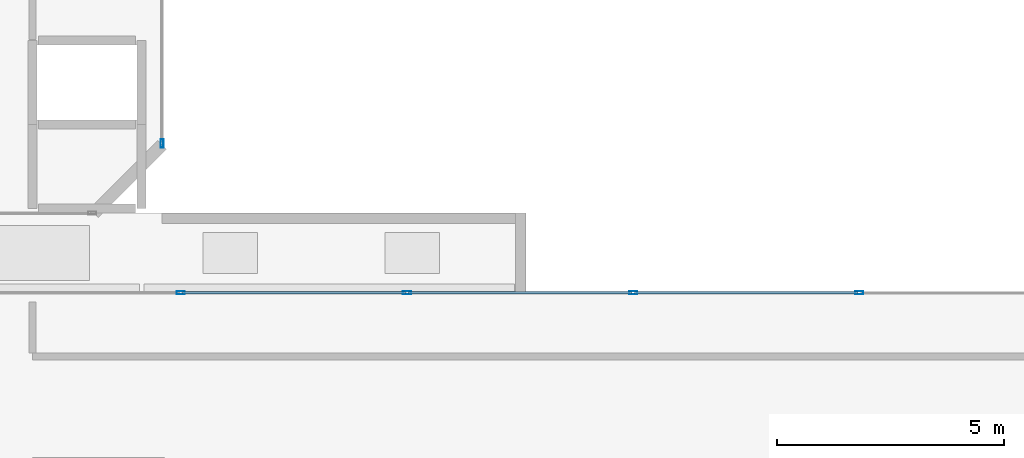
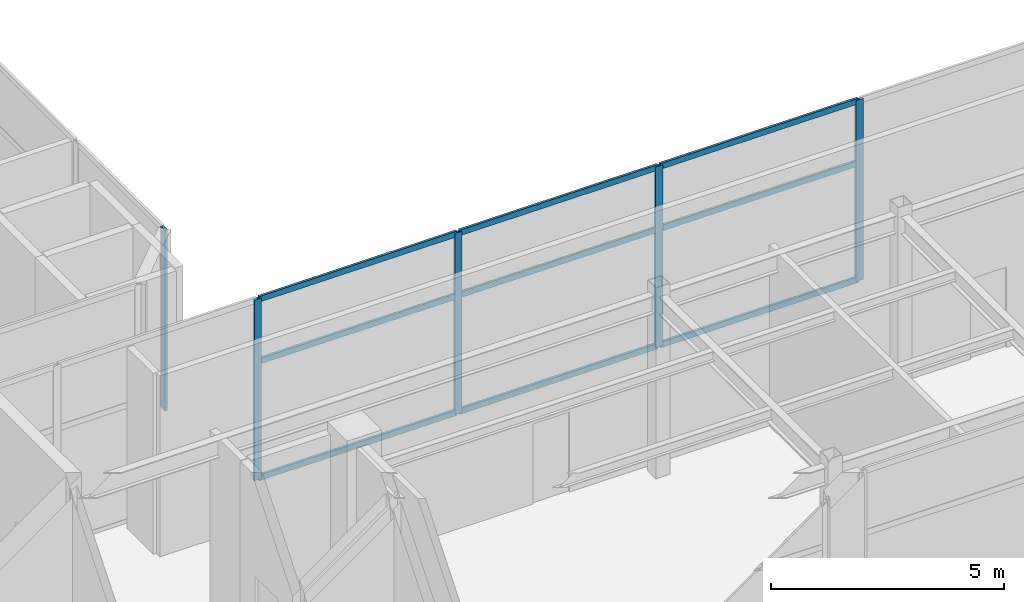
# One storey, part 9 of 18: 14 members, 2 elements without a shape of their own.
"""IFC4 building model written with IfcOpenShell, lengths in metres."""

from ifc_helpers import new_model, si_unit, direction, frame, origin, origin_2d, place, context, subcontext, project, spatial, hollow_rectangle, extrude, material, layer, layer_set, material_profile, profile_set, type_object, element, aggregate, save


model = new_model("IFC4")

# Units and contexts
model_context = context("Model", 3, precision=1e-05, world=origin(), true_north=direction((0.0, 1.0)))
body_context = subcontext(model_context, "Body", "Model", "MODEL_VIEW")
ifc_project = project(units=[si_unit("LENGTHUNIT", "METRE"), si_unit("AREAUNIT", "SQUARE_METRE"), si_unit("VOLUMEUNIT", "CUBIC_METRE"), si_unit("PLANEANGLEUNIT", "RADIAN"), si_unit("MASSUNIT", "GRAM", prefix="KILO")], contexts=[model_context])

# Site, building, storey
site_placement = place(None, origin())
site = spatial("IfcSite", under=ifc_project, at=site_placement, CompositionType="ELEMENT")
building_placement = place(site_placement, origin())
building = spatial("IfcBuilding", under=site, at=building_placement, Name="Mawjaban Terraces University", CompositionType="ELEMENT")
storey_placement = place(building_placement, frame((0.0, 0.0, 316.699951171875)))
storey = spatial("IfcBuildingStorey", under=building, at=storey_placement, Name="L77", CompositionType="ELEMENT", Elevation=316.699951171875)

# Curtain wall, members
ifc_material_1 = material(Name="Anodised aluminium 6063-T6 and solar-control low-E glass", Category="aluminium")
ifc_layer = layer(ifc_material_1, 0.199951171875)
ifc_layer_set = layer_set([ifc_layer], Name="Anodised aluminium 6063-T6 and solar-control low-E glass")
curtain_wall_type = type_object("IfcCurtainWallType", Name="CWSystem_06_ObservationCrown", PredefinedType="NOTDEFINED", material=ifc_layer_set)
curtain_wall_1_placement = place(storey_placement, origin())
curtain_wall_1 = element("IfcCurtainWall", 1, at=curtain_wall_1_placement, inside=storey, type_object=curtain_wall_type, Name="L77 Curtain Wall CW-06 Run 5.1", PredefinedType="NOTDEFINED")
ifc_material_2 = material(Name="Anodised aluminium 6063-T6", Category="aluminium")
ifc_material_profile_1 = material_profile(ifc_material_2, hollow_rectangle(XDim=0.06494140625, YDim=0.179931640625, WallThickness=0.00390625, at=origin_2d()), Name="ALU180X65X4")
ifc_profile_set_1 = profile_set([ifc_material_profile_1], Name="Anodised aluminium 6063-T6")
member_type_1 = type_object("IfcMemberType", Name="Mullion_CW-06", PredefinedType="MULLION", material=ifc_profile_set_1)
member_1_placement = place(storey_placement, frame((53.32861328125, 12.050048828125, 0.0), z_axis=(0.0, 0.0, 1.0), x_axis=(0.0, -1.0, 0.0)))
member_1 = element("IfcMember", 2, at=member_1_placement, type_object=member_type_1, Name="CW-06 mullion 2", PredefinedType="MULLION", context=body_context, shape_type="SweptSolid", body=[
    extrude(hollow_rectangle(XDim=0.06494140625, YDim=0.179931640625, WallThickness=0.00390625, at=origin_2d()), origin(), (0.0, 0.0, 1.0), 4.739990234375),
])
member_2_placement = place(storey_placement, frame((48.357177734375, 12.050048828125, 0.0), z_axis=(0.0, 0.0, 1.0), x_axis=(0.0, -1.0, 0.0)))
member_2 = element("IfcMember", 3, at=member_2_placement, type_object=member_type_1, Name="CW-06 mullion 3", PredefinedType="MULLION", context=body_context, shape_type="SweptSolid", body=[
    extrude(hollow_rectangle(XDim=0.06494140625, YDim=0.179931640625, WallThickness=0.00390625, at=origin_2d()), origin(), (0.0, 0.0, 1.0), 4.739990234375),
])
member_3_placement = place(storey_placement, frame((43.3857421875, 12.050048828125, 0.0), z_axis=(0.0, 0.0, 1.0), x_axis=(0.0, -1.0, 0.0)))
member_3 = element("IfcMember", 4, at=member_3_placement, type_object=member_type_1, Name="CW-06 mullion 4", PredefinedType="MULLION", context=body_context, shape_type="SweptSolid", body=[
    extrude(hollow_rectangle(XDim=0.06494140625, YDim=0.179931640625, WallThickness=0.00390625, at=origin_2d()), origin(), (0.0, 0.0, 1.0), 4.739990234375),
])
member_4_placement = place(storey_placement, frame((38.414306640625, 12.050048828125, 0.0), z_axis=(0.0, 0.0, 1.0), x_axis=(0.0, -1.0, 0.0)))
member_4 = element("IfcMember", 5, at=member_4_placement, type_object=member_type_1, Name="CW-06 mullion 5", PredefinedType="MULLION", context=body_context, shape_type="SweptSolid", body=[
    extrude(hollow_rectangle(XDim=0.06494140625, YDim=0.179931640625, WallThickness=0.00390625, at=origin_2d()), origin(), (0.0, 0.0, 1.0), 4.739990234375),
])

# Curtain wall, member
curtain_wall_2_placement = place(storey_placement, origin())
curtain_wall_2 = element("IfcCurtainWall", 6, at=curtain_wall_2_placement, inside=storey, type_object=curtain_wall_type, Name="L77 Curtain Wall CW-06 Run 3.1", PredefinedType="NOTDEFINED")
member_5_placement = place(storey_placement, frame((38.0, 15.33251953125, 0.0), z_axis=(0.0, 0.0, 1.0), x_axis=(-1.0, 0.0, 0.0)))
member_5 = element("IfcMember", 7, at=member_5_placement, type_object=member_type_1, Name="CW-06 mullion 1", PredefinedType="MULLION", context=body_context, shape_type="SweptSolid", body=[
    extrude(hollow_rectangle(XDim=0.06494140625, YDim=0.179931640625, WallThickness=0.00390625, at=origin_2d()), origin(), (0.0, 0.0, 1.0), 4.739990234375),
])
aggregate(curtain_wall_2, [member_5])

# Member
ifc_material_profile_2 = material_profile(ifc_material_2, hollow_rectangle(XDim=0.06005859375, YDim=0.14990234375, WallThickness=0.00390625, at=origin_2d()), Name="ALU150X60X4")
ifc_profile_set_2 = profile_set([ifc_material_profile_2], Name="Anodised aluminium 6063-T6")
member_type_2 = type_object("IfcMemberType", Name="Transom_CW-06", PredefinedType="NOTDEFINED", material=ifc_profile_set_2)
member_6_placement = place(storey_placement, frame((53.296142578125, 12.050048828125, 0.030029296875), z_axis=(-1.0, 0.0, 0.0), x_axis=(0.0, -1.0, 0.0)))
member_6 = element("IfcMember", 8, at=member_6_placement, type_object=member_type_2, Name="CW-06 transom 2.1", ObjectType="TRANSOM", PredefinedType="USERDEFINED", context=body_context, shape_type="SweptSolid", body=[
    extrude(hollow_rectangle(XDim=0.06005859375, YDim=0.14990234375, WallThickness=0.00390625, at=origin_2d()), origin(), (0.0, 0.0, 1.0), 4.906494140625),
])

member_7_placement = place(storey_placement, frame((53.296142578125, 12.050048828125, 3.0810546875), z_axis=(-1.0, 0.0, 0.0), x_axis=(0.0, -1.0, 0.0)))
member_7 = element("IfcMember", 9, at=member_7_placement, type_object=member_type_2, Name="CW-06 transom 2.2", ObjectType="TRANSOM", PredefinedType="USERDEFINED", context=body_context, shape_type="SweptSolid", body=[
    extrude(hollow_rectangle(XDim=0.06005859375, YDim=0.14990234375, WallThickness=0.00390625, at=origin_2d()), origin(), (0.0, 0.0, 1.0), 4.906494140625),
])

member_8_placement = place(storey_placement, frame((53.296142578125, 12.050048828125, 4.7099609375), z_axis=(-1.0, 0.0, 0.0), x_axis=(0.0, -1.0, 0.0)))
member_8 = element("IfcMember", 10, at=member_8_placement, type_object=member_type_2, Name="CW-06 transom 2.3", ObjectType="TRANSOM", PredefinedType="USERDEFINED", context=body_context, shape_type="SweptSolid", body=[
    extrude(hollow_rectangle(XDim=0.06005859375, YDim=0.14990234375, WallThickness=0.00390625, at=origin_2d()), origin(), (0.0, 0.0, 1.0), 4.906494140625),
])

member_9_placement = place(storey_placement, frame((48.32470703125, 12.050048828125, 0.030029296875), z_axis=(-1.0, 0.0, 0.0), x_axis=(0.0, -1.0, 0.0)))
member_9 = element("IfcMember", 11, at=member_9_placement, type_object=member_type_2, Name="CW-06 transom 3.1", ObjectType="TRANSOM", PredefinedType="USERDEFINED", context=body_context, shape_type="SweptSolid", body=[
    extrude(hollow_rectangle(XDim=0.06005859375, YDim=0.14990234375, WallThickness=0.00390625, at=origin_2d()), origin(), (0.0, 0.0, 1.0), 4.906494140625),
])

member_10_placement = place(storey_placement, frame((48.32470703125, 12.050048828125, 3.0810546875), z_axis=(-1.0, 0.0, 0.0), x_axis=(0.0, -1.0, 0.0)))
member_10 = element("IfcMember", 12, at=member_10_placement, type_object=member_type_2, Name="CW-06 transom 3.2", ObjectType="TRANSOM", PredefinedType="USERDEFINED", context=body_context, shape_type="SweptSolid", body=[
    extrude(hollow_rectangle(XDim=0.06005859375, YDim=0.14990234375, WallThickness=0.00390625, at=origin_2d()), origin(), (0.0, 0.0, 1.0), 4.906494140625),
])

member_11_placement = place(storey_placement, frame((48.32470703125, 12.050048828125, 4.7099609375), z_axis=(-1.0, 0.0, 0.0), x_axis=(0.0, -1.0, 0.0)))
member_11 = element("IfcMember", 13, at=member_11_placement, type_object=member_type_2, Name="CW-06 transom 3.3", ObjectType="TRANSOM", PredefinedType="USERDEFINED", context=body_context, shape_type="SweptSolid", body=[
    extrude(hollow_rectangle(XDim=0.06005859375, YDim=0.14990234375, WallThickness=0.00390625, at=origin_2d()), origin(), (0.0, 0.0, 1.0), 4.906494140625),
])

member_12_placement = place(storey_placement, frame((43.353271484375, 12.050048828125, 0.030029296875), z_axis=(-1.0, 0.0, 0.0), x_axis=(0.0, -1.0, 0.0)))
member_12 = element("IfcMember", 14, at=member_12_placement, type_object=member_type_2, Name="CW-06 transom 4.1", ObjectType="TRANSOM", PredefinedType="USERDEFINED", context=body_context, shape_type="SweptSolid", body=[
    extrude(hollow_rectangle(XDim=0.06005859375, YDim=0.14990234375, WallThickness=0.00390625, at=origin_2d()), origin(), (0.0, 0.0, 1.0), 4.906494140625),
])

member_13_placement = place(storey_placement, frame((43.353271484375, 12.050048828125, 3.0810546875), z_axis=(-1.0, 0.0, 0.0), x_axis=(0.0, -1.0, 0.0)))
member_13 = element("IfcMember", 15, at=member_13_placement, type_object=member_type_2, Name="CW-06 transom 4.2", ObjectType="TRANSOM", PredefinedType="USERDEFINED", context=body_context, shape_type="SweptSolid", body=[
    extrude(hollow_rectangle(XDim=0.06005859375, YDim=0.14990234375, WallThickness=0.00390625, at=origin_2d()), origin(), (0.0, 0.0, 1.0), 4.906494140625),
])

member_14_placement = place(storey_placement, frame((43.353271484375, 12.050048828125, 4.7099609375), z_axis=(-1.0, 0.0, 0.0), x_axis=(0.0, -1.0, 0.0)))
member_14 = element("IfcMember", 16, at=member_14_placement, type_object=member_type_2, Name="CW-06 transom 4.3", ObjectType="TRANSOM", PredefinedType="USERDEFINED", context=body_context, shape_type="SweptSolid", body=[
    extrude(hollow_rectangle(XDim=0.06005859375, YDim=0.14990234375, WallThickness=0.00390625, at=origin_2d()), origin(), (0.0, 0.0, 1.0), 4.906494140625),
])

aggregate(curtain_wall_1, [member_1, member_2, member_3, member_4, member_6, member_7, member_8, member_9, member_10, member_11, member_12, member_13, member_14])

save(model, "model.ifc")
